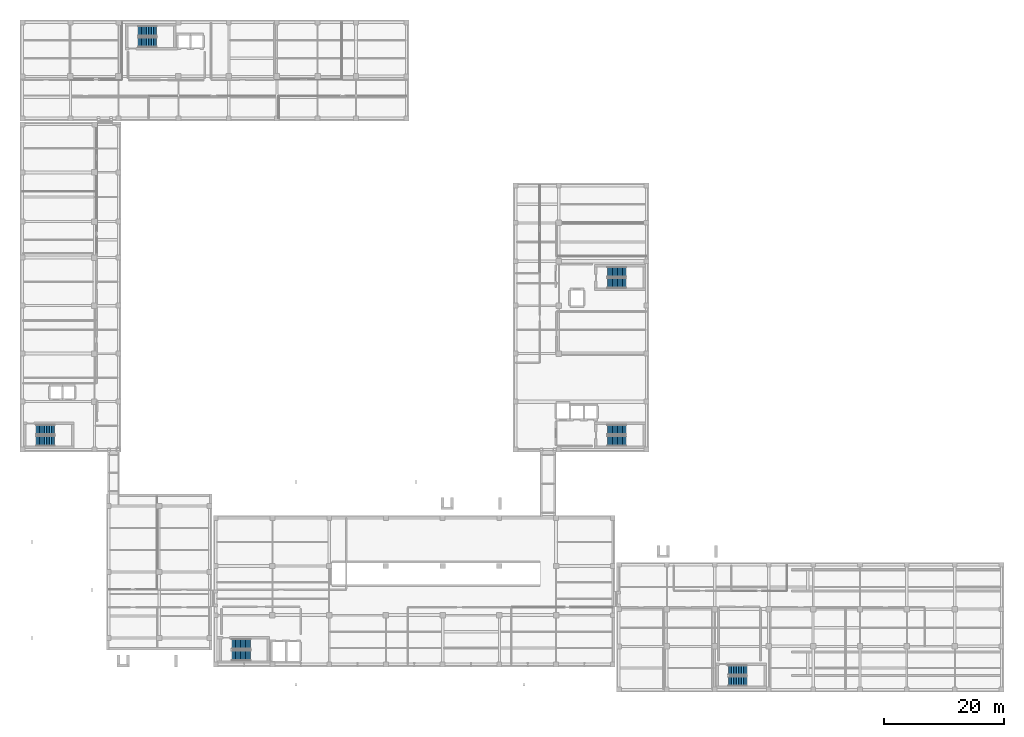
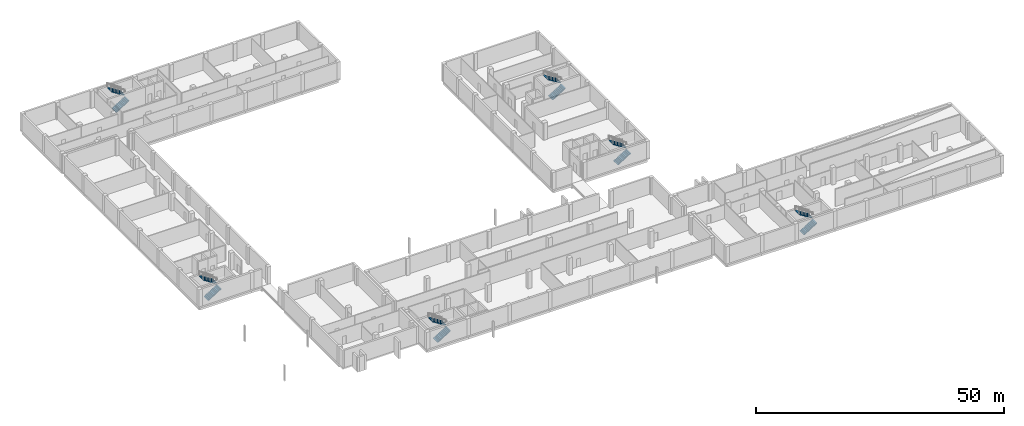
# One storey, part 24 of 31: 12 stair flights, 6 elements without a shape of their own.
"""IFC4 building model written with IfcOpenShell, lengths in metres."""

from ifc_helpers import new_model, si_unit, direction, frame, origin, place, context, subcontext, project, spatial, polyline, outline, extrude, material, type_object, element, aggregate, save


model = new_model("IFC4")

# Units and contexts
model_context = context("Model", 3, precision=1e-05, world=origin(), true_north=direction((0.0, 1.0)))
body_context = subcontext(model_context, "Body", "Model", "MODEL_VIEW")
ifc_project = project(units=[si_unit("LENGTHUNIT", "METRE"), si_unit("AREAUNIT", "SQUARE_METRE"), si_unit("VOLUMEUNIT", "CUBIC_METRE"), si_unit("PLANEANGLEUNIT", "RADIAN"), si_unit("MASSUNIT", "GRAM", prefix="KILO")], contexts=[model_context])

# Site, building, storey
site_placement = place(None, origin())
site = spatial("IfcSite", under=ifc_project, at=site_placement, CompositionType="ELEMENT")
building_placement = place(site_placement, origin())
building = spatial("IfcBuilding", under=site, at=building_placement, Name="Qalavern Law Courts", CompositionType="ELEMENT")
storey_placement = place(building_placement, frame((0.0, 0.0, -4.199951171875)))
storey = spatial("IfcBuildingStorey", under=building, at=storey_placement, Name="B1", CompositionType="ELEMENT", Elevation=-4.199951171875)

# Stair, stair flights
ifc_material = material(Name="Concrete C35/45", Category="concrete")
stair_type_1 = type_object("IfcStairType", Name="INT-STAIR-1650", PredefinedType="HALF_TURN_STAIR", material=ifc_material)
stair_1_placement = place(storey_placement, origin())
stair_1 = element("IfcStair", 1, at=stair_1_placement, inside=storey, type_object=stair_type_1, Name="B1 ST-K5", PredefinedType="HALF_TURN_STAIR")
stair_flight_type_1 = type_object("IfcStairFlightType", Name="INT-FLIGHT-1650", PredefinedType="STRAIGHT", material=ifc_material)
stair_flight_1_placement = place(storey_placement, frame((120.050048828125, 2.824951171875, 0.0), z_axis=(0.0, 0.0, 1.0), x_axis=(1.0, 0.0, 0.0)))
stair_flight_1 = element("IfcStairFlight", 2, at=stair_flight_1_placement, type_object=stair_flight_type_1, Name="ST-K5 flight 1", NumberOfRisers=12, NumberOfTreads=11, PredefinedType="STRAIGHT", RiserHeight=0.175, TreadLength=0.28, context=body_context, shape_type="SweptSolid", body=[
    extrude(outline(polyline([(0.0, 0.0), (0.0, 0.175048828125), (0.280029296875, 0.175048828125), (0.280029296875, 0.35009765625), (0.56005859375, 0.35009765625), (0.56005859375, 0.52490234375), (0.840087890625, 0.52490234375), (0.840087890625, 0.699951171875), (1.1201171875, 0.699951171875), (1.1201171875, 0.875), (1.39990234375, 0.875), (1.39990234375, 1.050048828125), (1.679931640625, 1.050048828125), (1.679931640625, 1.22509765625), (1.9599609375, 1.22509765625), (1.9599609375, 1.39990234375), (2.239990234375, 1.39990234375), (2.239990234375, 1.574951171875), (2.52001953125, 1.574951171875), (2.52001953125, 1.75), (2.800048828125, 1.75), (2.800048828125, 1.925048828125), (3.080078125, 1.925048828125), (3.080078125, 2.10009765625), (3.080078125, 1.748291015625), (0.28271484375, 0.0), (0.0, 0.0)])), frame((0.0, 0.824951171875, 0.0), z_axis=(0.0, -1.0, 0.0), x_axis=(1.0, 0.0, 0.0)), (0.0, 0.0, 1.0), 1.64990234375),
])
stair_flight_2_placement = place(storey_placement, frame((123.1298828125, 4.625, 2.099853515625), z_axis=(0.0, 0.0, 1.0), x_axis=(-1.0, 0.0, 0.0)))
stair_flight_2 = element("IfcStairFlight", 3, at=stair_flight_2_placement, type_object=stair_flight_type_1, Name="ST-K5 flight 2", NumberOfRisers=12, NumberOfTreads=11, PredefinedType="STRAIGHT", RiserHeight=0.175, TreadLength=0.28, context=body_context, shape_type="SweptSolid", body=[
    extrude(outline(polyline([(0.0, 0.0), (0.0, 0.175048828125), (0.280029296875, 0.175048828125), (0.280029296875, 0.35009765625), (0.56005859375, 0.35009765625), (0.56005859375, 0.52490234375), (0.840087890625, 0.52490234375), (0.840087890625, 0.699951171875), (1.1201171875, 0.699951171875), (1.1201171875, 0.875), (1.39990234375, 0.875), (1.39990234375, 1.050048828125), (1.679931640625, 1.050048828125), (1.679931640625, 1.22509765625), (1.9599609375, 1.22509765625), (1.9599609375, 1.39990234375), (2.239990234375, 1.39990234375), (2.239990234375, 1.574951171875), (2.52001953125, 1.574951171875), (2.52001953125, 1.75), (2.800048828125, 1.75), (2.800048828125, 1.925048828125), (3.080078125, 1.925048828125), (3.080078125, 2.10009765625), (3.080078125, 1.748291015625), (0.28271484375, 0.0), (0.0, 0.0)])), frame((0.0, 0.824951171875, 0.0), z_axis=(0.0, -1.0, 0.0), x_axis=(1.0, 0.0, 0.0)), (0.0, 0.0, 1.0), 1.64990234375),
])
aggregate(stair_1, [stair_flight_1, stair_flight_2])

stair_type_2 = type_object("IfcStairType", Name="INT-STAIR-1700", PredefinedType="HALF_TURN_STAIR", material=ifc_material)
stair_2_placement = place(storey_placement, origin())
stair_2 = element("IfcStair", 4, at=stair_2_placement, inside=storey, type_object=stair_type_2, Name="B1 ST-K1A", PredefinedType="HALF_TURN_STAIR")
stair_flight_type_2 = type_object("IfcStairFlightType", Name="INT-FLIGHT-1700", PredefinedType="STRAIGHT", material=ifc_material)
stair_flight_3_placement = place(storey_placement, frame((99.89990234375, 42.85009765625, 0.0), z_axis=(0.0, 0.0, 1.0), x_axis=(1.0, 0.0, 0.0)))
stair_flight_3 = element("IfcStairFlight", 5, at=stair_flight_3_placement, type_object=stair_flight_type_2, Name="ST-K1A flight 1", NumberOfRisers=12, NumberOfTreads=11, PredefinedType="STRAIGHT", RiserHeight=0.175, TreadLength=0.28, context=body_context, shape_type="SweptSolid", body=[
    extrude(outline(polyline([(0.0, 0.0), (0.0, 0.175048828125), (0.280029296875, 0.175048828125), (0.280029296875, 0.35009765625), (0.56005859375, 0.35009765625), (0.56005859375, 0.52490234375), (0.840087890625, 0.52490234375), (0.840087890625, 0.699951171875), (1.1201171875, 0.699951171875), (1.1201171875, 0.875), (1.39990234375, 0.875), (1.39990234375, 1.050048828125), (1.679931640625, 1.050048828125), (1.679931640625, 1.22509765625), (1.9599609375, 1.22509765625), (1.9599609375, 1.39990234375), (2.239990234375, 1.39990234375), (2.239990234375, 1.574951171875), (2.52001953125, 1.574951171875), (2.52001953125, 1.75), (2.800048828125, 1.75), (2.800048828125, 1.925048828125), (3.080078125, 1.925048828125), (3.080078125, 2.10009765625), (3.080078125, 1.748291015625), (0.28271484375, 0.0), (0.0, 0.0)])), frame((0.0, 0.85009765625, 0.0), z_axis=(0.0, -1.0, 0.0), x_axis=(1.0, 0.0, 0.0)), (0.0, 0.0, 1.0), 1.699951171875),
])
stair_flight_4_placement = place(storey_placement, frame((102.97998046875, 44.699951171875, 2.099853515625), z_axis=(0.0, 0.0, 1.0), x_axis=(-1.0, 0.0, 0.0)))
stair_flight_4 = element("IfcStairFlight", 6, at=stair_flight_4_placement, type_object=stair_flight_type_2, Name="ST-K1A flight 2", NumberOfRisers=12, NumberOfTreads=11, PredefinedType="STRAIGHT", RiserHeight=0.175, TreadLength=0.28, context=body_context, shape_type="SweptSolid", body=[
    extrude(outline(polyline([(0.0, 0.0), (0.0, 0.175048828125), (0.280029296875, 0.175048828125), (0.280029296875, 0.35009765625), (0.56005859375, 0.35009765625), (0.56005859375, 0.52490234375), (0.840087890625, 0.52490234375), (0.840087890625, 0.699951171875), (1.1201171875, 0.699951171875), (1.1201171875, 0.875), (1.39990234375, 0.875), (1.39990234375, 1.050048828125), (1.679931640625, 1.050048828125), (1.679931640625, 1.22509765625), (1.9599609375, 1.22509765625), (1.9599609375, 1.39990234375), (2.239990234375, 1.39990234375), (2.239990234375, 1.574951171875), (2.52001953125, 1.574951171875), (2.52001953125, 1.75), (2.800048828125, 1.75), (2.800048828125, 1.925048828125), (3.080078125, 1.925048828125), (3.080078125, 2.10009765625), (3.080078125, 1.748291015625), (0.28271484375, 0.0), (0.0, 0.0)])), frame((0.0, 0.85009765625, 0.0), z_axis=(0.0, -1.0, 0.0), x_axis=(1.0, 0.0, 0.0)), (0.0, 0.0, 1.0), 1.699951171875),
])
aggregate(stair_2, [stair_flight_3, stair_flight_4])

stair_3_placement = place(storey_placement, origin())
stair_3 = element("IfcStair", 7, at=stair_3_placement, inside=storey, type_object=stair_type_2, Name="B1 ST-K1B", PredefinedType="HALF_TURN_STAIR")
stair_flight_5_placement = place(storey_placement, frame((99.89990234375, 69.14990234375, 0.0), z_axis=(0.0, 0.0, 1.0), x_axis=(1.0, 0.0, 0.0)))
stair_flight_5 = element("IfcStairFlight", 8, at=stair_flight_5_placement, type_object=stair_flight_type_2, Name="ST-K1B flight 1", NumberOfRisers=12, NumberOfTreads=11, PredefinedType="STRAIGHT", RiserHeight=0.175, TreadLength=0.28, context=body_context, shape_type="SweptSolid", body=[
    extrude(outline(polyline([(0.0, 0.0), (0.0, 0.175048828125), (0.280029296875, 0.175048828125), (0.280029296875, 0.35009765625), (0.56005859375, 0.35009765625), (0.56005859375, 0.52490234375), (0.840087890625, 0.52490234375), (0.840087890625, 0.699951171875), (1.1201171875, 0.699951171875), (1.1201171875, 0.875), (1.39990234375, 0.875), (1.39990234375, 1.050048828125), (1.679931640625, 1.050048828125), (1.679931640625, 1.22509765625), (1.9599609375, 1.22509765625), (1.9599609375, 1.39990234375), (2.239990234375, 1.39990234375), (2.239990234375, 1.574951171875), (2.52001953125, 1.574951171875), (2.52001953125, 1.75), (2.800048828125, 1.75), (2.800048828125, 1.925048828125), (3.080078125, 1.925048828125), (3.080078125, 2.10009765625), (3.080078125, 1.748291015625), (0.28271484375, 0.0), (0.0, 0.0)])), frame((0.0, 0.85009765625, 0.0), z_axis=(0.0, -1.0, 0.0), x_axis=(1.0, 0.0, 0.0)), (0.0, 0.0, 1.0), 1.699951171875),
])
stair_flight_6_placement = place(storey_placement, frame((102.97998046875, 71.0, 2.099853515625), z_axis=(0.0, 0.0, 1.0), x_axis=(-1.0, 0.0, 0.0)))
stair_flight_6 = element("IfcStairFlight", 9, at=stair_flight_6_placement, type_object=stair_flight_type_2, Name="ST-K1B flight 2", NumberOfRisers=12, NumberOfTreads=11, PredefinedType="STRAIGHT", RiserHeight=0.175, TreadLength=0.28, context=body_context, shape_type="SweptSolid", body=[
    extrude(outline(polyline([(0.0, 0.0), (0.0, 0.175048828125), (0.280029296875, 0.175048828125), (0.280029296875, 0.35009765625), (0.56005859375, 0.35009765625), (0.56005859375, 0.52490234375), (0.840087890625, 0.52490234375), (0.840087890625, 0.699951171875), (1.1201171875, 0.699951171875), (1.1201171875, 0.875), (1.39990234375, 0.875), (1.39990234375, 1.050048828125), (1.679931640625, 1.050048828125), (1.679931640625, 1.22509765625), (1.9599609375, 1.22509765625), (1.9599609375, 1.39990234375), (2.239990234375, 1.39990234375), (2.239990234375, 1.574951171875), (2.52001953125, 1.574951171875), (2.52001953125, 1.75), (2.800048828125, 1.75), (2.800048828125, 1.925048828125), (3.080078125, 1.925048828125), (3.080078125, 2.10009765625), (3.080078125, 1.748291015625), (0.28271484375, 0.0), (0.0, 0.0)])), frame((0.0, 0.85009765625, 0.0), z_axis=(0.0, -1.0, 0.0), x_axis=(1.0, 0.0, 0.0)), (0.0, 0.0, 1.0), 1.699951171875),
])
aggregate(stair_3, [stair_flight_5, stair_flight_6])

stair_4_placement = place(storey_placement, origin())
stair_4 = element("IfcStair", 10, at=stair_4_placement, inside=storey, type_object=stair_type_2, Name="B1 ST-K2", PredefinedType="HALF_TURN_STAIR")
stair_flight_7_placement = place(storey_placement, frame((4.699951171875, 42.85009765625, 0.0), z_axis=(0.0, 0.0, 1.0), x_axis=(1.0, 0.0, 0.0)))
stair_flight_7 = element("IfcStairFlight", 11, at=stair_flight_7_placement, type_object=stair_flight_type_2, Name="ST-K2 flight 1", NumberOfRisers=12, NumberOfTreads=11, PredefinedType="STRAIGHT", RiserHeight=0.175, TreadLength=0.28, context=body_context, shape_type="SweptSolid", body=[
    extrude(outline(polyline([(0.0, 0.0), (0.0, 0.175048828125), (0.280029296875, 0.175048828125), (0.280029296875, 0.35009765625), (0.56005859375, 0.35009765625), (0.56005859375, 0.52490234375), (0.840087890625, 0.52490234375), (0.840087890625, 0.699951171875), (1.1201171875, 0.699951171875), (1.1201171875, 0.875), (1.39990234375, 0.875), (1.39990234375, 1.050048828125), (1.679931640625, 1.050048828125), (1.679931640625, 1.22509765625), (1.9599609375, 1.22509765625), (1.9599609375, 1.39990234375), (2.239990234375, 1.39990234375), (2.239990234375, 1.574951171875), (2.52001953125, 1.574951171875), (2.52001953125, 1.75), (2.800048828125, 1.75), (2.800048828125, 1.925048828125), (3.080078125, 1.925048828125), (3.080078125, 2.10009765625), (3.080078125, 1.748291015625), (0.28271484375, 0.0), (0.0, 0.0)])), frame((0.0, 0.85009765625, 0.0), z_axis=(0.0, -1.0, 0.0), x_axis=(1.0, 0.0, 0.0)), (0.0, 0.0, 1.0), 1.699951171875),
])
stair_flight_8_placement = place(storey_placement, frame((7.780029296875, 44.699951171875, 2.099853515625), z_axis=(0.0, 0.0, 1.0), x_axis=(-1.0, 0.0, 0.0)))
stair_flight_8 = element("IfcStairFlight", 12, at=stair_flight_8_placement, type_object=stair_flight_type_2, Name="ST-K2 flight 2", NumberOfRisers=12, NumberOfTreads=11, PredefinedType="STRAIGHT", RiserHeight=0.175, TreadLength=0.28, context=body_context, shape_type="SweptSolid", body=[
    extrude(outline(polyline([(0.0, 0.0), (0.0, 0.175048828125), (0.280029296875, 0.175048828125), (0.280029296875, 0.35009765625), (0.56005859375, 0.35009765625), (0.56005859375, 0.52490234375), (0.840087890625, 0.52490234375), (0.840087890625, 0.699951171875), (1.1201171875, 0.699951171875), (1.1201171875, 0.875), (1.39990234375, 0.875), (1.39990234375, 1.050048828125), (1.679931640625, 1.050048828125), (1.679931640625, 1.22509765625), (1.9599609375, 1.22509765625), (1.9599609375, 1.39990234375), (2.239990234375, 1.39990234375), (2.239990234375, 1.574951171875), (2.52001953125, 1.574951171875), (2.52001953125, 1.75), (2.800048828125, 1.75), (2.800048828125, 1.925048828125), (3.080078125, 1.925048828125), (3.080078125, 2.10009765625), (3.080078125, 1.748291015625), (0.28271484375, 0.0), (0.0, 0.0)])), frame((0.0, 0.85009765625, 0.0), z_axis=(0.0, -1.0, 0.0), x_axis=(1.0, 0.0, 0.0)), (0.0, 0.0, 1.0), 1.699951171875),
])
aggregate(stair_4, [stair_flight_7, stair_flight_8])

stair_5_placement = place(storey_placement, origin())
stair_5 = element("IfcStair", 13, at=stair_5_placement, inside=storey, type_object=stair_type_2, Name="B1 ST-K3", PredefinedType="HALF_TURN_STAIR")
stair_flight_9_placement = place(storey_placement, frame((21.699951171875, 109.300048828125, 0.0), z_axis=(0.0, 0.0, 1.0), x_axis=(1.0, 0.0, 0.0)))
stair_flight_9 = element("IfcStairFlight", 14, at=stair_flight_9_placement, type_object=stair_flight_type_2, Name="ST-K3 flight 1", NumberOfRisers=12, NumberOfTreads=11, PredefinedType="STRAIGHT", RiserHeight=0.175, TreadLength=0.28, context=body_context, shape_type="SweptSolid", body=[
    extrude(outline(polyline([(0.0, 0.0), (0.0, 0.175048828125), (0.280029296875, 0.175048828125), (0.280029296875, 0.35009765625), (0.56005859375, 0.35009765625), (0.56005859375, 0.52490234375), (0.840087890625, 0.52490234375), (0.840087890625, 0.699951171875), (1.1201171875, 0.699951171875), (1.1201171875, 0.875), (1.39990234375, 0.875), (1.39990234375, 1.050048828125), (1.679931640625, 1.050048828125), (1.679931640625, 1.22509765625), (1.9599609375, 1.22509765625), (1.9599609375, 1.39990234375), (2.239990234375, 1.39990234375), (2.239990234375, 1.574951171875), (2.52001953125, 1.574951171875), (2.52001953125, 1.75), (2.800048828125, 1.75), (2.800048828125, 1.925048828125), (3.080078125, 1.925048828125), (3.080078125, 2.10009765625), (3.080078125, 1.748291015625), (0.28271484375, 0.0), (0.0, 0.0)])), frame((0.0, 0.85009765625, 0.0), z_axis=(0.0, -1.0, 0.0), x_axis=(1.0, 0.0, 0.0)), (0.0, 0.0, 1.0), 1.699951171875),
])
stair_flight_10_placement = place(storey_placement, frame((24.780029296875, 111.14990234375, 2.099853515625), z_axis=(0.0, 0.0, 1.0), x_axis=(-1.0, 0.0, 0.0)))
stair_flight_10 = element("IfcStairFlight", 15, at=stair_flight_10_placement, type_object=stair_flight_type_2, Name="ST-K3 flight 2", NumberOfRisers=12, NumberOfTreads=11, PredefinedType="STRAIGHT", RiserHeight=0.175, TreadLength=0.28, context=body_context, shape_type="SweptSolid", body=[
    extrude(outline(polyline([(0.0, 0.0), (0.0, 0.175048828125), (0.280029296875, 0.175048828125), (0.280029296875, 0.35009765625), (0.56005859375, 0.35009765625), (0.56005859375, 0.52490234375), (0.840087890625, 0.52490234375), (0.840087890625, 0.699951171875), (1.1201171875, 0.699951171875), (1.1201171875, 0.875), (1.39990234375, 0.875), (1.39990234375, 1.050048828125), (1.679931640625, 1.050048828125), (1.679931640625, 1.22509765625), (1.9599609375, 1.22509765625), (1.9599609375, 1.39990234375), (2.239990234375, 1.39990234375), (2.239990234375, 1.574951171875), (2.52001953125, 1.574951171875), (2.52001953125, 1.75), (2.800048828125, 1.75), (2.800048828125, 1.925048828125), (3.080078125, 1.925048828125), (3.080078125, 2.10009765625), (3.080078125, 1.748291015625), (0.28271484375, 0.0), (0.0, 0.0)])), frame((0.0, 0.85009765625, 0.0), z_axis=(0.0, -1.0, 0.0), x_axis=(1.0, 0.0, 0.0)), (0.0, 0.0, 1.0), 1.699951171875),
])
aggregate(stair_5, [stair_flight_9, stair_flight_10])

stair_type_3 = type_object("IfcStairType", Name="INT-STAIR-1750", PredefinedType="HALF_TURN_STAIR", material=ifc_material)
stair_6_placement = place(storey_placement, origin())
stair_6 = element("IfcStair", 16, at=stair_6_placement, inside=storey, type_object=stair_type_3, Name="B1 ST-K4", PredefinedType="HALF_TURN_STAIR")
stair_flight_type_3 = type_object("IfcStairFlightType", Name="INT-FLIGHT-1750", PredefinedType="STRAIGHT", material=ifc_material)
stair_flight_11_placement = place(storey_placement, frame((37.35009765625, 7.074951171875, 0.0), z_axis=(0.0, 0.0, 1.0), x_axis=(1.0, 0.0, 0.0)))
stair_flight_11 = element("IfcStairFlight", 17, at=stair_flight_11_placement, type_object=stair_flight_type_3, Name="ST-K4 flight 1", NumberOfRisers=12, NumberOfTreads=11, PredefinedType="STRAIGHT", RiserHeight=0.175, TreadLength=0.28, context=body_context, shape_type="SweptSolid", body=[
    extrude(outline(polyline([(0.0, 0.0), (0.0, 0.175048828125), (0.280029296875, 0.175048828125), (0.280029296875, 0.35009765625), (0.56005859375, 0.35009765625), (0.56005859375, 0.52490234375), (0.840087890625, 0.52490234375), (0.840087890625, 0.699951171875), (1.1201171875, 0.699951171875), (1.1201171875, 0.875), (1.39990234375, 0.875), (1.39990234375, 1.050048828125), (1.679931640625, 1.050048828125), (1.679931640625, 1.22509765625), (1.9599609375, 1.22509765625), (1.9599609375, 1.39990234375), (2.239990234375, 1.39990234375), (2.239990234375, 1.574951171875), (2.52001953125, 1.574951171875), (2.52001953125, 1.75), (2.800048828125, 1.75), (2.800048828125, 1.925048828125), (3.080078125, 1.925048828125), (3.080078125, 2.10009765625), (3.080078125, 1.748291015625), (0.28271484375, 0.0), (0.0, 0.0)])), frame((0.0, 0.875, 0.0), z_axis=(0.0, -1.0, 0.0), x_axis=(1.0, 0.0, 0.0)), (0.0, 0.0, 1.0), 1.75),
])
stair_flight_12_placement = place(storey_placement, frame((40.429931640625, 8.97509765625, 2.099853515625), z_axis=(0.0, 0.0, 1.0), x_axis=(-1.0, 0.0, 0.0)))
stair_flight_12 = element("IfcStairFlight", 18, at=stair_flight_12_placement, type_object=stair_flight_type_3, Name="ST-K4 flight 2", NumberOfRisers=12, NumberOfTreads=11, PredefinedType="STRAIGHT", RiserHeight=0.175, TreadLength=0.28, context=body_context, shape_type="SweptSolid", body=[
    extrude(outline(polyline([(0.0, 0.0), (0.0, 0.175048828125), (0.280029296875, 0.175048828125), (0.280029296875, 0.35009765625), (0.56005859375, 0.35009765625), (0.56005859375, 0.52490234375), (0.840087890625, 0.52490234375), (0.840087890625, 0.699951171875), (1.1201171875, 0.699951171875), (1.1201171875, 0.875), (1.39990234375, 0.875), (1.39990234375, 1.050048828125), (1.679931640625, 1.050048828125), (1.679931640625, 1.22509765625), (1.9599609375, 1.22509765625), (1.9599609375, 1.39990234375), (2.239990234375, 1.39990234375), (2.239990234375, 1.574951171875), (2.52001953125, 1.574951171875), (2.52001953125, 1.75), (2.800048828125, 1.75), (2.800048828125, 1.925048828125), (3.080078125, 1.925048828125), (3.080078125, 2.10009765625), (3.080078125, 1.748291015625), (0.28271484375, 0.0), (0.0, 0.0)])), frame((0.0, 0.875, 0.0), z_axis=(0.0, -1.0, 0.0), x_axis=(1.0, 0.0, 0.0)), (0.0, 0.0, 1.0), 1.75),
])
aggregate(stair_6, [stair_flight_11, stair_flight_12])

save(model, "model.ifc")
